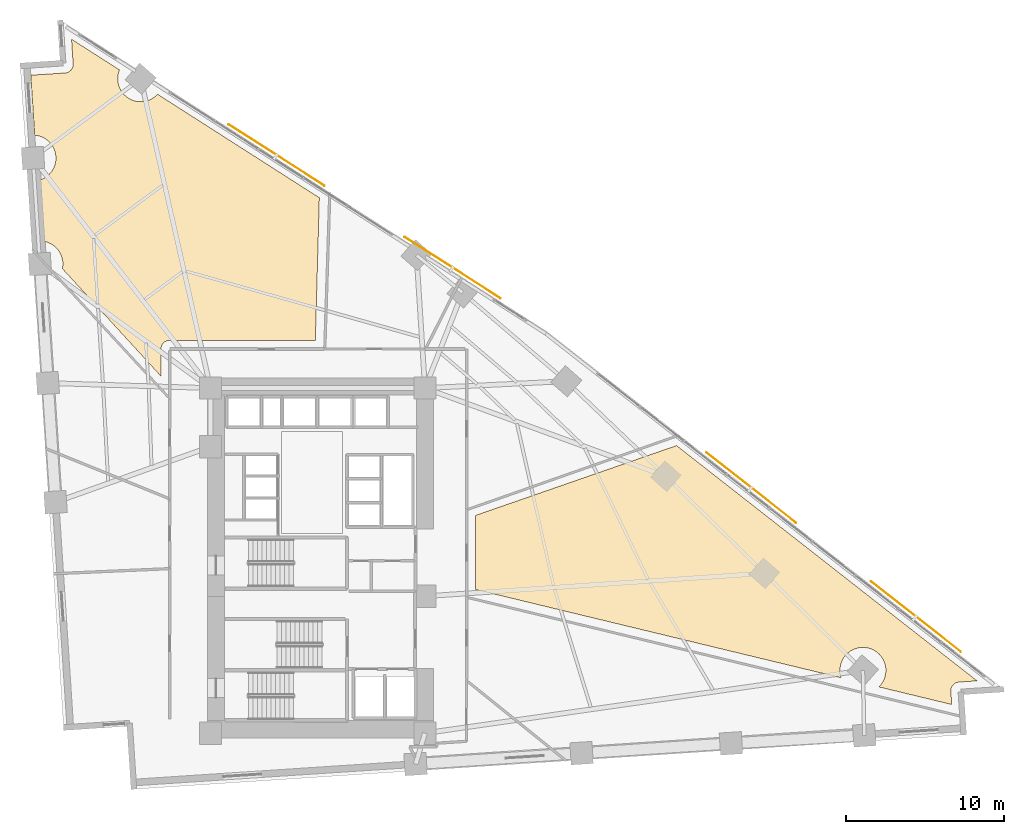
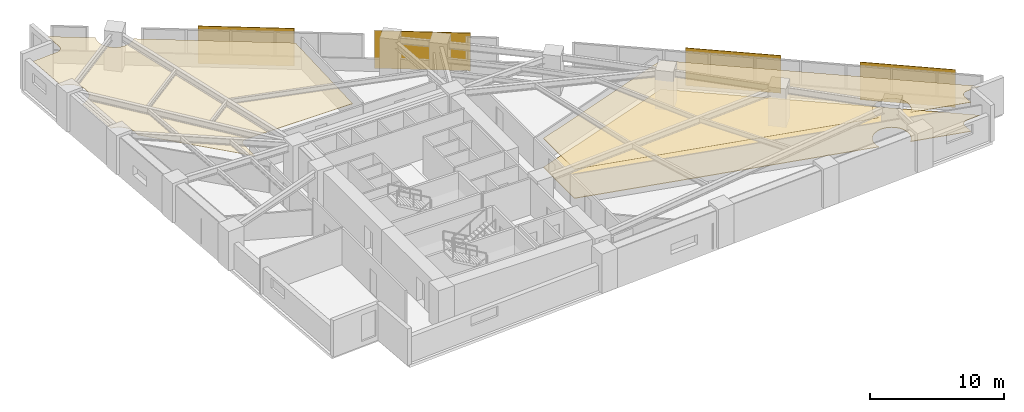
# One storey, part 16 of 16: 4 shading devices, 3 coverings.
"""IFC4 building model written with IfcOpenShell, lengths in metres."""

from ifc_helpers import new_model, si_unit, direction, frame, origin, origin_2d, place, context, subcontext, project, spatial, polyline, rectangle, outline, extrude, material, layer, layer_set, type_object, element, save


model = new_model("IFC4")

# Units and contexts
model_context = context("Model", 3, precision=1e-05, world=origin(), true_north=direction((0.0, 1.0)))
body_context = subcontext(model_context, "Body", "Model", "MODEL_VIEW")
ifc_project = project(units=[si_unit("LENGTHUNIT", "METRE"), si_unit("AREAUNIT", "SQUARE_METRE"), si_unit("VOLUMEUNIT", "CUBIC_METRE"), si_unit("PLANEANGLEUNIT", "RADIAN"), si_unit("MASSUNIT", "GRAM", prefix="KILO")], contexts=[model_context])

# Site, building, storey
site_placement = place(None, origin())
site = spatial("IfcSite", under=ifc_project, at=site_placement, CompositionType="ELEMENT")
building_placement = place(site_placement, origin())
building = spatial("IfcBuilding", under=site, at=building_placement, Name="Narakoshi Arena Tower", CompositionType="ELEMENT")
storey_placement = place(building_placement, frame((0.0, 0.0, 84.89990234375)))
storey = spatial("IfcBuildingStorey", under=building, at=storey_placement, Name="L22", CompositionType="ELEMENT", Elevation=84.89990234375)

# Coverings
ifc_material_1 = material(Name="Acoustic mineral-fibre ceiling tile")
ifc_layer_1 = layer(ifc_material_1, 0.02001953125)
ifc_layer_set_1 = layer_set([ifc_layer_1], Name="Acoustic mineral-fibre ceiling tile")
covering_type_1 = type_object("IfcCoveringType", Name="COV-CLG-AC20", PredefinedType="CEILING", material=ifc_layer_set_1)
covering_1_placement = place(storey_placement, frame((0.0, 0.0, 2.670166015625)))
element("IfcCovering", 1, at=covering_1_placement, inside=storey, type_object=covering_type_1, Name="L22 Suspended Acoustic Ceiling 1", PredefinedType="CEILING", context=body_context, shape_type="SweptSolid", body=[
    extrude(outline(polyline([(119.28564453125, 37.9287109375), (119.23193359375, 37.922607421875), (119.17919921875, 37.9111328125), (119.1279296875, 37.89453125), (119.078369140625, 37.873046875), (119.03125, 37.846923828125), (118.98681640625, 37.816162109375), (118.945556640625, 37.78125), (118.908203125, 37.742431640625), (118.87451171875, 37.7001953125), (118.84521484375, 37.65478515625), (118.820556640625, 37.606689453125), (118.80078125, 37.556640625), (118.785888671875, 37.504638671875), (118.7763671875, 37.45166015625), (118.77197265625, 37.397705078125), (118.772705078125, 37.34375), (118.827392578125, 36.51123046875), (114.2197265625, 37.6240234375), (114.24169921875, 37.64404296875), (114.33740234375, 37.74951171875), (114.422119140625, 37.86376953125), (114.4951171875, 37.98583984375), (114.555908203125, 38.114501953125), (114.60400390625, 38.248291015625), (114.638427734375, 38.386474609375), (114.659423828125, 38.527099609375), (114.66650390625, 38.669189453125), (114.659423828125, 38.811279296875), (114.638427734375, 38.9521484375), (114.60400390625, 39.090087890625), (114.555908203125, 39.22412109375), (114.4951171875, 39.352783203125), (114.422119140625, 39.474853515625), (114.33740234375, 39.589111328125), (114.24169921875, 39.694580078125), (114.13623046875, 39.790283203125), (114.02197265625, 39.875), (113.89990234375, 39.947998046875), (113.771240234375, 40.0087890625), (113.63720703125, 40.056884765625), (113.499267578125, 40.09130859375), (113.3583984375, 40.1123046875), (113.21630859375, 40.119384765625), (113.07421875, 40.1123046875), (112.93359375, 40.09130859375), (112.79541015625, 40.056884765625), (112.66162109375, 40.0087890625), (112.532958984375, 39.947998046875), (112.410888671875, 39.875), (112.29638671875, 39.790283203125), (112.191162109375, 39.694580078125), (112.095458984375, 39.589111328125), (112.0107421875, 39.474853515625), (111.9375, 39.352783203125), (111.876708984375, 39.22412109375), (111.828857421875, 39.090087890625), (111.794189453125, 38.9521484375), (111.7734375, 38.811279296875), (111.766357421875, 38.669189453125), (111.7734375, 38.527099609375), (111.794189453125, 38.386474609375), (111.828857421875, 38.248291015625), (111.84716796875, 38.197021484375), (88.72802734375, 43.780517578125), (88.72802734375, 48.45263671875), (101.443603515625, 52.8681640625), (120.429931640625, 38.003662109375), (119.28564453125, 37.9287109375)])), origin(), (0.0, 0.0, 1.0), 0.02001953125),
])
ifc_material_2 = material(Name="Slatted oak acoustic timber baffle", Category="wood")
ifc_layer_2 = layer(ifc_material_2, 0.034912109375)
ifc_layer_set_2 = layer_set([ifc_layer_2], Name="Slatted oak acoustic timber baffle")
covering_type_2 = type_object("IfcCoveringType", Name="COV-CLG-WD35", PredefinedType="CEILING", material=ifc_layer_set_2)
covering_2_placement = place(storey_placement, frame((0.0, 0.0, 2.655029296875)))
element("IfcCovering", 2, at=covering_2_placement, inside=storey, type_object=covering_type_2, Name="L22 Suspended Acoustic Ceiling 2", PredefinedType="CEILING", context=body_context, shape_type="SweptSolid", body=[
    extrude(outline(polyline([(62.809326171875, 76.409423828125), (62.863037109375, 76.41552734375), (62.915771484375, 76.427001953125), (62.967041015625, 76.443603515625), (63.0166015625, 76.46484375), (63.063720703125, 76.4912109375), (63.108154296875, 76.52197265625), (63.1494140625, 76.556884765625), (63.18701171875, 76.595703125), (63.220458984375, 76.6376953125), (63.249755859375, 76.68310546875), (63.2744140625, 76.731201171875), (63.294189453125, 76.781494140625), (63.30908203125, 76.833251953125), (63.318603515625, 76.886474609375), (63.322998046875, 76.940185546875), (63.322265625, 76.994140625), (63.220703125, 78.541259765625), (66.252197265625, 76.602294921875), (66.250244140625, 76.598388671875), (66.202392578125, 76.46435546875), (66.167724609375, 76.326416015625), (66.14697265625, 76.185546875), (66.139892578125, 76.04345703125), (66.14697265625, 75.9013671875), (66.167724609375, 75.760498046875), (66.202392578125, 75.62255859375), (66.250244140625, 75.488525390625), (66.31103515625, 75.35986328125), (66.38427734375, 75.23779296875), (66.468994140625, 75.12353515625), (66.564697265625, 75.01806640625), (66.669921875, 74.922607421875), (66.7841796875, 74.837890625), (66.906494140625, 74.7646484375), (67.034912109375, 74.703857421875), (67.1689453125, 74.65576171875), (67.306884765625, 74.621337890625), (67.44775390625, 74.600341796875), (67.58984375, 74.593505859375), (67.73193359375, 74.600341796875), (67.872802734375, 74.621337890625), (68.0107421875, 74.65576171875), (68.144775390625, 74.703857421875), (68.2734375, 74.7646484375), (68.3955078125, 74.837890625), (68.509765625, 74.922607421875), (68.615234375, 75.01806640625), (68.656982421875, 75.064208984375), (78.87646484375, 68.527587890625), (78.62548828125, 59.5224609375), (69.427490234375, 59.5224609375), (69.37353515625, 59.52001953125), (69.3203125, 59.511962890625), (69.267822265625, 59.498779296875), (69.217041015625, 59.480712890625), (69.168212890625, 59.45751953125), (69.121826171875, 59.4296875), (69.07861328125, 59.397705078125), (69.03857421875, 59.361328125), (69.002197265625, 59.3212890625), (68.97021484375, 59.278076171875), (68.9423828125, 59.231689453125), (68.91943359375, 59.18310546875), (68.901123046875, 59.132080078125), (68.88818359375, 59.079833984375), (68.880126953125, 59.0263671875), (68.87744140625, 58.972412109375), (68.87744140625, 57.247802734375), (62.64208984375, 64.044921875), (62.64599609375, 64.06005859375), (62.666748046875, 64.200927734375), (62.673828125, 64.343017578125), (62.666748046875, 64.485107421875), (62.64599609375, 64.6259765625), (62.611328125, 64.763916015625), (62.5634765625, 64.89794921875), (62.502685546875, 65.026611328125), (62.429443359375, 65.148681640625), (62.3447265625, 65.262939453125), (62.2490234375, 65.368408203125), (62.143798828125, 65.4638671875), (62.029296875, 65.548583984375), (61.9072265625, 65.621826171875), (61.77880859375, 65.6826171875), (61.644775390625, 65.730712890625), (61.506591796875, 65.76513671875), (61.365966796875, 65.785888671875), (61.334716796875, 65.78759765625), (61.083984375, 69.61279296875), (61.206298828125, 69.643310546875), (61.34033203125, 69.69140625), (61.468994140625, 69.752197265625), (61.591064453125, 69.8251953125), (61.705322265625, 69.909912109375), (61.810791015625, 70.005615234375), (61.90625, 70.111083984375), (61.990966796875, 70.225341796875), (62.064208984375, 70.347412109375), (62.125, 70.47607421875), (62.173095703125, 70.610107421875), (62.20751953125, 70.748046875), (62.228515625, 70.888916015625), (62.2353515625, 71.031005859375), (62.228515625, 71.173095703125), (62.20751953125, 71.313720703125), (62.173095703125, 71.451904296875), (62.125, 71.585693359375), (62.064208984375, 71.71435546875), (61.990966796875, 71.83642578125), (61.90625, 71.95068359375), (61.810791015625, 72.05615234375), (61.705322265625, 72.15185546875), (61.591064453125, 72.236572265625), (61.468994140625, 72.309814453125), (61.34033203125, 72.37060546875), (61.206298828125, 72.41845703125), (61.068359375, 72.452880859375), (60.927490234375, 72.473876953125), (60.896240234375, 72.4755859375), (60.647705078125, 76.267578125), (62.809326171875, 76.409423828125)])), origin(), (0.0, 0.0, 1.0), 0.03515625),
])
ifc_material_3 = material(Name="Raised steel access floor panel", Category="steel")
ifc_layer_3 = layer(ifc_material_3, 0.044921875)
ifc_layer_set_3 = layer_set([ifc_layer_3], Name="Raised steel access floor panel")
covering_type_3 = type_object("IfcCoveringType", Name="COV-FLR-RF45", PredefinedType="FLOORING", material=ifc_layer_set_3)
covering_3_placement = place(storey_placement, origin())
element("IfcCovering", 3, at=covering_3_placement, inside=storey, type_object=covering_type_3, Name="L22 Raised Steel Access Floor", PredefinedType="FLOORING", context=body_context, shape_type="SweptSolid", body=[
    extrude(outline(polyline([(119.28564453125, 37.9287109375), (119.23193359375, 37.922607421875), (119.17919921875, 37.9111328125), (119.1279296875, 37.89453125), (119.078369140625, 37.873046875), (119.03125, 37.846923828125), (118.98681640625, 37.816162109375), (118.945556640625, 37.78125), (118.908203125, 37.742431640625), (118.87451171875, 37.7001953125), (118.84521484375, 37.65478515625), (118.820556640625, 37.606689453125), (118.80078125, 37.556640625), (118.785888671875, 37.504638671875), (118.7763671875, 37.45166015625), (118.77197265625, 37.397705078125), (118.772705078125, 37.34375), (118.827392578125, 36.51123046875), (114.2197265625, 37.6240234375), (114.24169921875, 37.64404296875), (114.33740234375, 37.74951171875), (114.422119140625, 37.86376953125), (114.4951171875, 37.98583984375), (114.555908203125, 38.114501953125), (114.60400390625, 38.248291015625), (114.638427734375, 38.386474609375), (114.659423828125, 38.527099609375), (114.66650390625, 38.669189453125), (114.659423828125, 38.811279296875), (114.638427734375, 38.9521484375), (114.60400390625, 39.090087890625), (114.555908203125, 39.22412109375), (114.4951171875, 39.352783203125), (114.422119140625, 39.474853515625), (114.33740234375, 39.589111328125), (114.24169921875, 39.694580078125), (114.13623046875, 39.790283203125), (114.02197265625, 39.875), (113.89990234375, 39.947998046875), (113.771240234375, 40.0087890625), (113.63720703125, 40.056884765625), (113.499267578125, 40.09130859375), (113.3583984375, 40.1123046875), (113.21630859375, 40.119384765625), (113.07421875, 40.1123046875), (112.93359375, 40.09130859375), (112.79541015625, 40.056884765625), (112.66162109375, 40.0087890625), (112.532958984375, 39.947998046875), (112.410888671875, 39.875), (112.29638671875, 39.790283203125), (112.191162109375, 39.694580078125), (112.095458984375, 39.589111328125), (112.0107421875, 39.474853515625), (111.9375, 39.352783203125), (111.876708984375, 39.22412109375), (111.828857421875, 39.090087890625), (111.794189453125, 38.9521484375), (111.7734375, 38.811279296875), (111.766357421875, 38.669189453125), (111.7734375, 38.527099609375), (111.794189453125, 38.386474609375), (111.828857421875, 38.248291015625), (111.84716796875, 38.197021484375), (88.72802734375, 43.780517578125), (88.72802734375, 48.45263671875), (101.443603515625, 52.8681640625), (120.429931640625, 38.003662109375), (119.28564453125, 37.9287109375)])), origin(), (0.0, 0.0, 1.0), 0.045166015625),
])

# Shading devices
ifc_material_4 = material(Name="Perforated bronze ceramic-metal composite")
ifc_layer_4 = layer(ifc_material_4, 0.044921875)
ifc_layer_set_4 = layer_set([ifc_layer_4], Name="Perforated bronze ceramic-metal composite")
shading_device_type = type_object("IfcShadingDeviceType", Name="SHD-SCR-BRZ1", PredefinedType="USERDEFINED", material=ifc_layer_set_4)
for number, where, z_axis, x_axis, name in (
    (4, (116.560546875, 42.06494140625, 0.0), (0.0, 0.0, 1.0), (-0.787387121413, 0.616458855912, 0.0), "L22 Perforated Bronze Solar Screen 1-1"),
    (5, (106.1669921875, 50.2021484375, 0.0), (0.0, 0.0, 1.0), (-0.787387121413, 0.616458855912, 0.0), "L22 Perforated Bronze Solar Screen 1-2"),
    (6, (87.29541015625, 64.10693359375, 0.0), (0.0, 0.0, 1.0), (-0.842414781658, 0.538829597966, 0.0), "L22 Perforated Bronze Solar Screen 2-1"),
    (7, (76.17529296875, 71.219482421875, 0.0), (0.0, 0.0, 1.0), (-0.842414781658, 0.538829597966, 0.0), "L22 Perforated Bronze Solar Screen 2-2"),
):
    element("IfcShadingDevice", number, at=place(storey_placement, frame(where, z_axis=z_axis, x_axis=x_axis)), inside=storey, type_object=shading_device_type, Name=name, ObjectType="SOLAR SCREEN", PredefinedType="USERDEFINED", context=body_context, shape_type="SweptSolid", body=[
        extrude(rectangle(XDim=7.199951171875, YDim=0.044921875, at=origin_2d()), origin(), (0.0, 0.0, 1.0), 3.449951171875),
    ])

save(model, "model.ifc")
